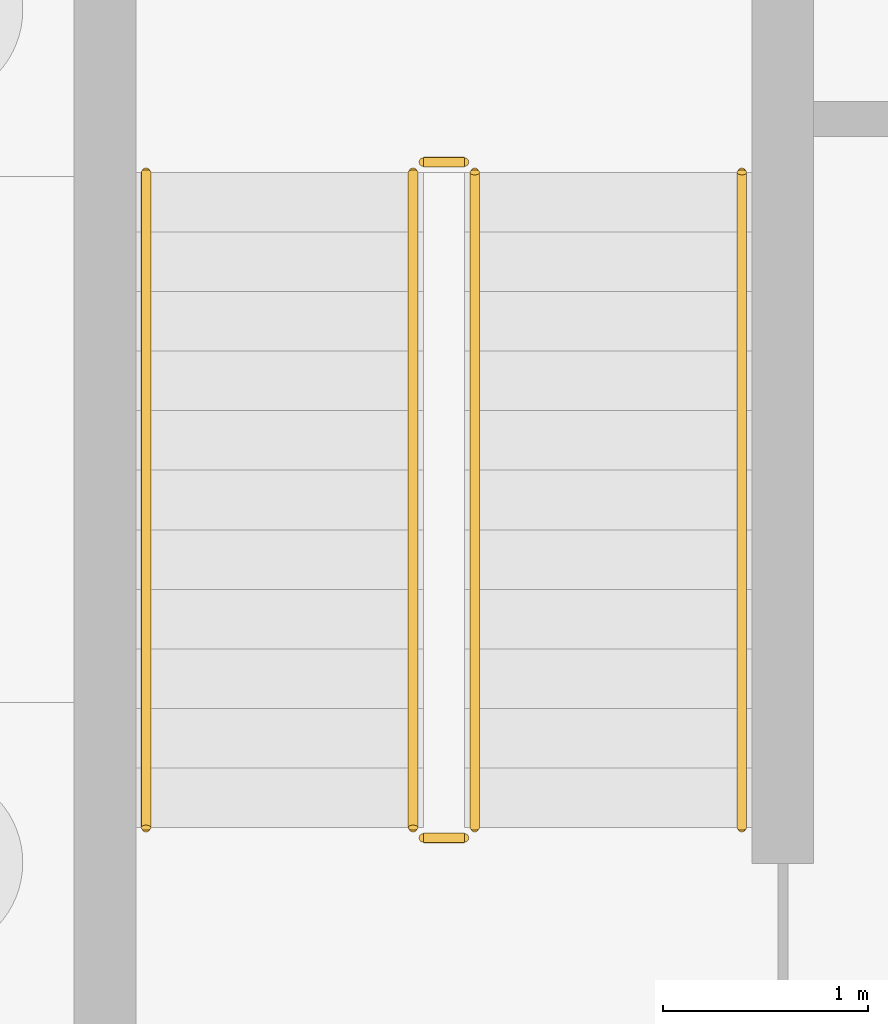
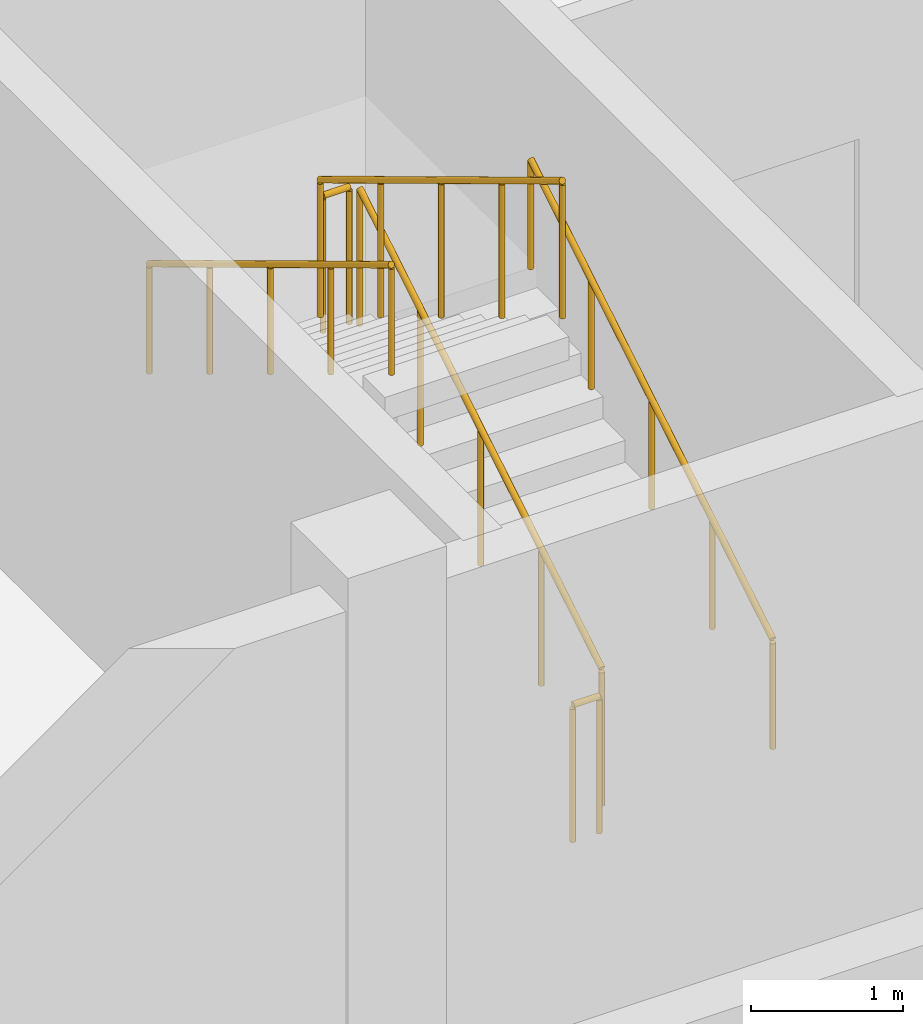
# One storey, part 30 of 36: 6 railings.
"""IFC4 building model written with IfcOpenShell, lengths in metres."""

from ifc_helpers import new_model, si_unit, derived_unit, direction, frame, origin, origin_2d, place, context, subcontext, project, spatial, circle, extrude, material, type_object, element, save


model = new_model("IFC4")

# Units and contexts
model_context = context("Model", 3, precision=1e-05, world=origin(), true_north=direction((0.0, 1.0)))
body_context = subcontext(model_context, "Body", "Model", "MODEL_VIEW")
ifc_project = project(units=[si_unit("LENGTHUNIT", "METRE"), si_unit("AREAUNIT", "SQUARE_METRE"), si_unit("VOLUMEUNIT", "CUBIC_METRE"), si_unit("PLANEANGLEUNIT", "RADIAN"), si_unit("MASSUNIT", "GRAM", prefix="KILO"), derived_unit("THERMALTRANSMITTANCEUNIT", [(si_unit("MASSUNIT", "GRAM", prefix="KILO"), 1), (si_unit("TIMEUNIT", "SECOND"), -3), (si_unit("THERMODYNAMICTEMPERATUREUNIT", "KELVIN"), -1)])], contexts=[model_context])

# Site, building, storey
site_placement = place(None, origin())
site = spatial("IfcSite", under=ifc_project, at=site_placement, CompositionType="ELEMENT")
building_placement = place(site_placement, origin())
building = spatial("IfcBuilding", under=site, at=building_placement, Name="Ochrekiln Boulevard Commons", CompositionType="ELEMENT")
storey_placement = place(building_placement, frame((0.0, 0.0, -4.199951171875)))
storey = spatial("IfcBuildingStorey", under=building, at=storey_placement, Name="B1", CompositionType="ELEMENT", Elevation=-4.199951171875)

# Railings
ifc_material = material(Name="Brushed stainless steel 316 tubular railing", Category="steel")
railing_type_1 = type_object("IfcRailingType", Name="RLG-HDR-900", PredefinedType="HANDRAIL", material=ifc_material)
railing_1_placement = place(storey_placement, frame((9.35009765625, 1.8701171875, 0.175048828125)))
element("IfcRailing", 1, at=railing_1_placement, inside=storey, type_object=railing_type_1, Name="B1 ST-D1 stair handrail 1", PredefinedType="HANDRAIL", context=body_context, shape_type="SweptSolid", body=[
    extrude(circle(Radius=0.02392578125, at=origin_2d()), frame((0.0, 0.0, 0.8759765625), z_axis=(0.0, 0.856206652436, 0.516633495163), x_axis=(-1.0, 0.0, 0.0)), (0.0, 0.0, 1.0), 3.7255859375),
    extrude(circle(Radius=0.02099609375, at=origin_2d()), origin(), (0.0, 0.0, 1.0), 0.851806640625),
    extrude(circle(Radius=0.02099609375, at=origin_2d()), frame((0.0, 0.79736328125, 0.481201171875)), (0.0, 0.0, 1.0), 0.851806640625),
    extrude(circle(Radius=0.02099609375, at=origin_2d()), frame((0.0, 1.594970703125, 0.96240234375)), (0.0, 0.0, 1.0), 0.851806640625),
    extrude(circle(Radius=0.02099609375, at=origin_2d()), frame((0.0, 2.392578125, 1.443603515625)), (0.0, 0.0, 1.0), 0.851806640625),
    extrude(circle(Radius=0.02099609375, at=origin_2d()), frame((0.0, 3.18994140625, 1.9248046875)), (0.0, 0.0, 1.0), 0.851806640625),
])
railing_2_placement = place(storey_placement, frame((6.449951171875, 5.06005859375, 2.27490234375)))
element("IfcRailing", 2, at=railing_2_placement, inside=storey, type_object=railing_type_1, Name="B1 ST-D1 stair handrail 2", PredefinedType="HANDRAIL", context=body_context, shape_type="SweptSolid", body=[
    extrude(circle(Radius=0.02392578125, at=origin_2d()), frame((0.0, 0.0, 0.8759765625), z_axis=(0.0, -0.856177665481, 0.516681531633), x_axis=(1.0, 0.0, 0.0)), (0.0, 0.0, 1.0), 3.725830078125),
    extrude(circle(Radius=0.02099609375, at=origin_2d()), origin(), (0.0, 0.0, 1.0), 0.851806640625),
    extrude(circle(Radius=0.02099609375, at=origin_2d()), frame((0.0, -0.79736328125, 0.481201171875)), (0.0, 0.0, 1.0), 0.851806640625),
    extrude(circle(Radius=0.02099609375, at=origin_2d()), frame((0.0, -1.594970703125, 0.96240234375)), (0.0, 0.0, 1.0), 0.851806640625),
    extrude(circle(Radius=0.02099609375, at=origin_2d()), frame((0.0, -2.392578125, 1.44384765625)), (0.0, 0.0, 1.0), 0.851806640625),
    extrude(circle(Radius=0.02099609375, at=origin_2d()), frame((0.0, -3.18994140625, 1.925048828125)), (0.0, 0.0, 1.0), 0.851806640625),
])
railing_type_2 = type_object("IfcRailingType", Name="RLG-STR-1120", PredefinedType="BALUSTRADE", material=ifc_material)
railing_3_placement = place(storey_placement, frame((8.050048828125, 1.8701171875, 0.175048828125)))
element("IfcRailing", 3, at=railing_3_placement, inside=storey, type_object=railing_type_2, Name="B1 ST-D1 stair guard 1", PredefinedType="BALUSTRADE", context=body_context, shape_type="SweptSolid", body=[
    extrude(circle(Radius=0.02392578125, at=origin_2d()), frame((0.0, 0.0, 1.09619140625), z_axis=(0.0, 0.856206652436, 0.516633495163), x_axis=(-1.0, 0.0, 0.0)), (0.0, 0.0, 1.0), 3.7255859375),
    extrude(circle(Radius=0.02099609375, at=origin_2d()), origin(), (0.0, 0.0, 1.0), 1.072021484375),
    extrude(circle(Radius=0.02099609375, at=origin_2d()), frame((0.0, 0.79736328125, 0.481201171875)), (0.0, 0.0, 1.0), 1.072021484375),
    extrude(circle(Radius=0.02099609375, at=origin_2d()), frame((0.0, 1.594970703125, 0.96240234375)), (0.0, 0.0, 1.0), 1.072021484375),
    extrude(circle(Radius=0.02099609375, at=origin_2d()), frame((0.0, 2.392578125, 1.443603515625)), (0.0, 0.0, 1.0), 1.072021484375),
    extrude(circle(Radius=0.02099609375, at=origin_2d()), frame((0.0, 3.18994140625, 1.9248046875)), (0.0, 0.0, 1.0), 1.072021484375),
])
railing_4_placement = place(storey_placement, frame((8.0, 5.110107421875, 2.099853515625)))
element("IfcRailing", 4, at=railing_4_placement, inside=storey, type_object=railing_type_2, Name="B1 ST-D1 stair guard 2", PredefinedType="BALUSTRADE", context=body_context, shape_type="SweptSolid", body=[
    extrude(circle(Radius=0.02392578125, at=origin_2d()), frame((0.0, 0.0, 1.09619140625), z_axis=(-1.0, 0.0, 0.0), x_axis=(0.0, -1.0, 0.0)), (0.0, 0.0, 1.0), 0.199951171875),
    extrude(circle(Radius=0.02099609375, at=origin_2d()), origin(), (0.0, 0.0, 1.0), 1.072021484375),
    extrude(circle(Radius=0.02099609375, at=origin_2d()), frame((-0.199951171875, 0.0, 0.0)), (0.0, 0.0, 1.0), 1.072021484375),
])
railing_5_placement = place(storey_placement, frame((7.75, 5.06005859375, 2.27490234375)))
element("IfcRailing", 5, at=railing_5_placement, inside=storey, type_object=railing_type_2, Name="B1 ST-D1 stair guard 3", PredefinedType="BALUSTRADE", context=body_context, shape_type="SweptSolid", body=[
    extrude(circle(Radius=0.02392578125, at=origin_2d()), frame((0.0, 0.0, 1.09619140625), z_axis=(0.0, -0.856177665481, 0.516681531633), x_axis=(1.0, 0.0, 0.0)), (0.0, 0.0, 1.0), 3.725830078125),
    extrude(circle(Radius=0.02099609375, at=origin_2d()), origin(), (0.0, 0.0, 1.0), 1.072021484375),
    extrude(circle(Radius=0.02099609375, at=origin_2d()), frame((0.0, -0.79736328125, 0.481201171875)), (0.0, 0.0, 1.0), 1.072021484375),
    extrude(circle(Radius=0.02099609375, at=origin_2d()), frame((0.0, -1.594970703125, 0.96240234375)), (0.0, 0.0, 1.0), 1.072021484375),
    extrude(circle(Radius=0.02099609375, at=origin_2d()), frame((0.0, -2.392578125, 1.44384765625)), (0.0, 0.0, 1.0), 1.072021484375),
    extrude(circle(Radius=0.02099609375, at=origin_2d()), frame((0.0, -3.18994140625, 1.925048828125)), (0.0, 0.0, 1.0), 1.072021484375),
])
railing_6_placement = place(storey_placement, frame((8.0, 1.820068359375, 0.0)))
element("IfcRailing", 6, at=railing_6_placement, inside=storey, type_object=railing_type_2, Name="B1 ST-D1 stair guard 4", PredefinedType="BALUSTRADE", context=body_context, shape_type="SweptSolid", body=[
    extrude(circle(Radius=0.02392578125, at=origin_2d()), frame((0.0, 0.0, 1.09619140625), z_axis=(-1.0, 0.0, 0.0), x_axis=(0.0, -1.0, 0.0)), (0.0, 0.0, 1.0), 0.199951171875),
    extrude(circle(Radius=0.02099609375, at=origin_2d()), origin(), (0.0, 0.0, 1.0), 1.072021484375),
    extrude(circle(Radius=0.02099609375, at=origin_2d()), frame((-0.199951171875, 0.0, 0.0)), (0.0, 0.0, 1.0), 1.072021484375),
])

save(model, "model.ifc")
